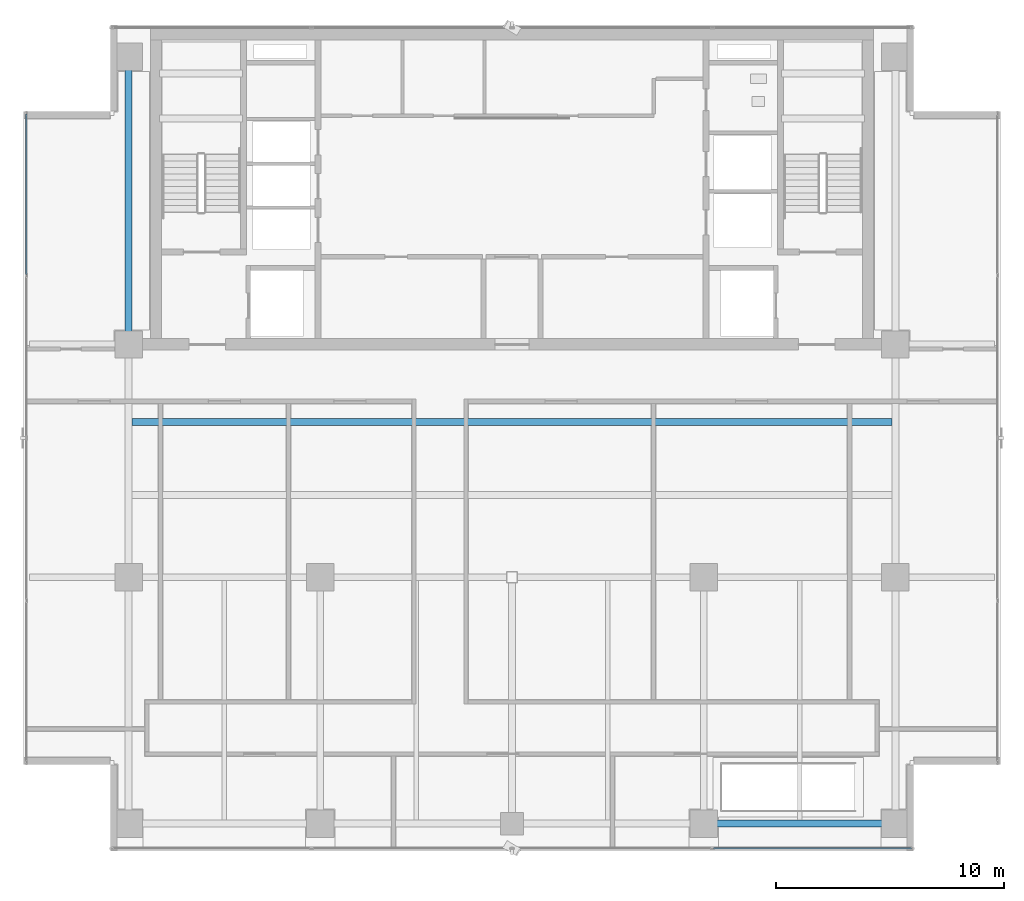
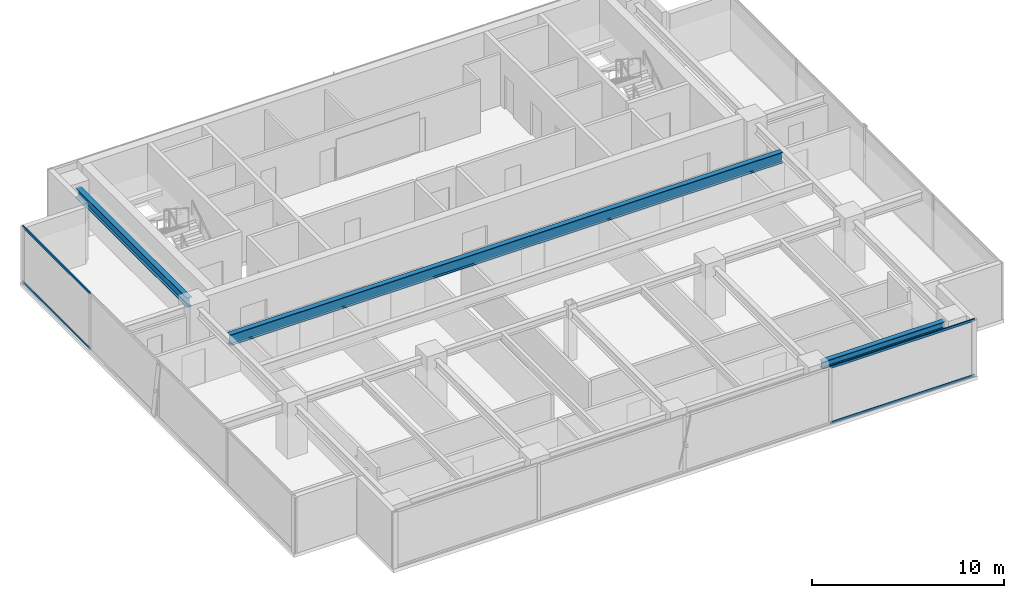
# One storey, part 7 of 21: 4 members, 3 beams, 2 elements without a shape of their own.
"""IFC4 building model written with IfcOpenShell, lengths in metres."""

from ifc_helpers import new_model, si_unit, direction, frame, origin, origin_2d, place, context, subcontext, project, spatial, hollow_rectangle, i_section, extrude, source, transform, mapped, material, layer, layer_set, material_profile, profile_set, type_object, element, aggregate, save


model = new_model("IFC4")

# Units and contexts
model_context = context("Model", 3, precision=1e-05, world=origin(), true_north=direction((0.0, 1.0)))
body_context = subcontext(model_context, "Body", "Model", "MODEL_VIEW")
ifc_project = project(units=[si_unit("LENGTHUNIT", "METRE"), si_unit("AREAUNIT", "SQUARE_METRE"), si_unit("VOLUMEUNIT", "CUBIC_METRE"), si_unit("PLANEANGLEUNIT", "RADIAN"), si_unit("MASSUNIT", "GRAM", prefix="KILO")], contexts=[model_context])

# Site, building, storey
site_placement = place(None, origin())
site = spatial("IfcSite", under=ifc_project, at=site_placement, CompositionType="ELEMENT")
building_placement = place(site_placement, origin())
building = spatial("IfcBuilding", under=site, at=building_placement, Name="Sumidabori Civic Tower", CompositionType="ELEMENT")
storey_placement = place(building_placement, frame((0.0, 0.0, 290.0)))
storey = spatial("IfcBuildingStorey", under=building, at=storey_placement, Name="L76", CompositionType="ELEMENT", Elevation=290.0)

# Beams
ifc_material_1 = material(Name="Steel SN490", Category="steel")
ifc_material_profile_1 = material_profile(ifc_material_1, i_section(OverallWidth=0.300048828125, OverallDepth=0.60009765625, WebThickness=0.015380859375, FlangeThickness=0.030029296875, at=origin_2d()), Name="HE 600 B")
ifc_profile_set_1 = profile_set([ifc_material_profile_1], Name="Steel SN490")
beam_type_1 = type_object("IfcBeamType", Name="BM-GIRD-600", PredefinedType="BEAM", material=ifc_profile_set_1)
shared_shape_1 = source(origin(), body_context, "Body", "SweptSolid", [
    extrude(i_section(OverallWidth=0.300048828125, OverallDepth=0.60009765625, WebThickness=0.015380859375, FlangeThickness=0.030029296875, at=origin_2d()), origin(), (0.0, 0.0, 1.0), 11.64013671875),
])
beam_1_placement = place(storey_placement, frame((-16.800048828125, 10.679931640625, 3.0), z_axis=(0.0, 1.0, 0.0), x_axis=(-1.0, 0.0, 0.0)))
element("IfcBeam", 1, at=beam_1_placement, inside=storey, type_object=beam_type_1, Name="Primary Girder L76 GY-11", PredefinedType="BEAM", context=body_context, shape_type="MappedRepresentation", body=[
    mapped(shared_shape_1, transform((0.0, 0.0, 0.0), x_axis=(1.0, 0.0, 0.0), y_axis=(0.0, 1.0, 0.0), z_axis=(0.0, 0.0, 1.0), scale=1.0)),
])
ifc_material_profile_2 = material_profile(ifc_material_1, i_section(OverallWidth=0.300048828125, OverallDepth=0.699951171875, WebThickness=0.01708984375, FlangeThickness=0.031982421875, at=origin_2d()), Name="HE 700 B")
ifc_profile_set_2 = profile_set([ifc_material_profile_2], Name="Steel SN490")
beam_type_2 = type_object("IfcBeamType", Name="BM-GIRD-700", PredefinedType="BEAM", material=ifc_profile_set_2)
shared_shape_2 = source(origin(), body_context, "Body", "SweptSolid", [
    extrude(i_section(OverallWidth=0.300048828125, OverallDepth=0.699951171875, WebThickness=0.01708984375, FlangeThickness=0.031982421875, at=origin_2d()), origin(), (0.0, 0.0, 1.0), 33.2998046875),
])
beam_2_placement = place(storey_placement, frame((-16.64990234375, 6.800048828125, 2.949951171875), z_axis=(1.0, 0.0, 0.0), x_axis=(0.0, 1.0, 0.0)))
element("IfcBeam", 2, at=beam_2_placement, inside=storey, type_object=beam_type_2, Name="North Bay Floor Beam L76 JSTN-23", PredefinedType="BEAM", context=body_context, shape_type="MappedRepresentation", body=[
    mapped(shared_shape_2, transform((0.0, 0.0, 0.0), x_axis=(1.0, 0.0, 0.0), y_axis=(0.0, 1.0, 0.0), z_axis=(0.0, 0.0, 1.0), scale=1.0)),
])
ifc_material_profile_3 = material_profile(ifc_material_1, i_section(OverallWidth=0.300048828125, OverallDepth=0.449951171875, WebThickness=0.013916015625, FlangeThickness=0.02587890625, at=origin_2d()), Name="HE 450 B")
ifc_profile_set_3 = profile_set([ifc_material_profile_3], Name="Steel SN490")
beam_type_3 = type_object("IfcBeamType", Name="BM-GIRD-450", PredefinedType="BEAM", material=ifc_profile_set_3)
shared_shape_3 = source(origin(), body_context, "Body", "SweptSolid", [
    extrude(i_section(OverallWidth=0.300048828125, OverallDepth=0.449951171875, WebThickness=0.013916015625, FlangeThickness=0.02587890625, at=origin_2d()), origin(), (0.0, 0.0, 1.0), 7.440185546875),
])
beam_3_placement = place(storey_placement, frame((8.8798828125, -10.800048828125, 3.074951171875), z_axis=(1.0, 0.0, 0.0), x_axis=(0.0, 1.0, 0.0)))
element("IfcBeam", 3, at=beam_3_placement, inside=storey, type_object=beam_type_3, Name="Primary Girder L76 GX-04", PredefinedType="BEAM", context=body_context, shape_type="MappedRepresentation", body=[
    mapped(shared_shape_3, transform((0.0, 0.0, 0.0), x_axis=(1.0, 0.0, 0.0), y_axis=(0.0, 1.0, 0.0), z_axis=(0.0, 0.0, 1.0), scale=1.0)),
])

# Curtain wall, members
ifc_material_2 = material(Name="Anodised Bronze Aluminium AW-6063-T6", Category="aluminium")
ifc_layer = layer(ifc_material_2, 0.179931640625, Name="Anodised Bronze Aluminium AW-6063-T6")
ifc_layer_set = layer_set([ifc_layer], Name="Anodised Bronze Aluminium AW-6063-T6")
curtain_wall_type = type_object("IfcCurtainWallType", Name="CW-SYS-6", PredefinedType="NOTDEFINED", material=ifc_layer_set)
curtain_wall_1_placement = place(storey_placement, origin())
curtain_wall_1 = element("IfcCurtainWall", 4, at=curtain_wall_1_placement, inside=storey, type_object=curtain_wall_type, Name="Curtain Wall CW:L76:R01", PredefinedType="NOTDEFINED")
ifc_material_profile_4 = material_profile(ifc_material_2, hollow_rectangle(XDim=0.06494140625, YDim=0.14990234375, WallThickness=0.0048828125, at=origin_2d()), Name="ALU TRANSOM 150x65")
ifc_profile_set_4 = profile_set([ifc_material_profile_4], Name="Anodised Bronze Aluminium AW-6063-T6")
member_type = type_object("IfcMemberType", Name="CW-TRN-150", PredefinedType="USERDEFINED", material=ifc_profile_set_4)
shared_shape_4 = source(origin(), body_context, "Body", "SweptSolid", [
    extrude(hollow_rectangle(XDim=0.06494140625, YDim=0.14990234375, WallThickness=0.0048828125, at=origin_2d()), origin(), (0.0, 0.0, 1.0), 8.679931640625),
])
member_1_placement = place(storey_placement, frame((8.820068359375, -11.8798828125, 0.032470703125), z_axis=(1.0, 0.0, 0.0), x_axis=(0.0, 1.0, 0.0)))
member_1 = element("IfcMember", 5, at=member_1_placement, type_object=member_type, Name="CW-6 transom 4.1", ObjectType="TRANSOM", PredefinedType="USERDEFINED", context=body_context, shape_type="MappedRepresentation", body=[
    mapped(shared_shape_4, transform((0.0, 0.0, 0.0), x_axis=(1.0, 0.0, 0.0), y_axis=(0.0, 1.0, 0.0), z_axis=(0.0, 0.0, 1.0), scale=1.0)),
])
member_2_placement = place(storey_placement, frame((8.820068359375, -11.8798828125, 3.5673828125), z_axis=(1.0, 0.0, 0.0), x_axis=(0.0, 1.0, 0.0)))
member_2 = element("IfcMember", 6, at=member_2_placement, type_object=member_type, Name="CW-6 transom 4.2", ObjectType="TRANSOM", PredefinedType="USERDEFINED", context=body_context, shape_type="MappedRepresentation", body=[
    mapped(shared_shape_4, transform((0.0, 0.0, 0.0), x_axis=(1.0, 0.0, 0.0), y_axis=(0.0, 1.0, 0.0), z_axis=(0.0, 0.0, 1.0), scale=1.0)),
])
aggregate(curtain_wall_1, [member_1, member_2])

curtain_wall_2_placement = place(storey_placement, origin())
curtain_wall_2 = element("IfcCurtainWall", 7, at=curtain_wall_2_placement, inside=storey, type_object=curtain_wall_type, Name="Curtain Wall CW:L76:R10", PredefinedType="NOTDEFINED")
shared_shape_5 = source(origin(), body_context, "Body", "SweptSolid", [
    extrude(hollow_rectangle(XDim=0.06494140625, YDim=0.14990234375, WallThickness=0.0048828125, at=origin_2d()), origin(), (0.0, 0.0, 1.0), 7.030029296875),
])
member_3_placement = place(storey_placement, frame((-21.280029296875, 20.300048828125, 0.032470703125), z_axis=(0.0, -1.0, 0.0), x_axis=(1.0, 0.0, 0.0)))
member_3 = element("IfcMember", 8, at=member_3_placement, type_object=member_type, Name="CW-6 transom 1.1", ObjectType="TRANSOM", PredefinedType="USERDEFINED", context=body_context, shape_type="MappedRepresentation", body=[
    mapped(shared_shape_5, transform((0.0, 0.0, 0.0), x_axis=(1.0, 0.0, 0.0), y_axis=(0.0, 1.0, 0.0), z_axis=(0.0, 0.0, 1.0), scale=1.0)),
])
member_4_placement = place(storey_placement, frame((-21.280029296875, 20.300048828125, 3.5673828125), z_axis=(0.0, -1.0, 0.0), x_axis=(1.0, 0.0, 0.0)))
member_4 = element("IfcMember", 9, at=member_4_placement, type_object=member_type, Name="CW-6 transom 1.2", ObjectType="TRANSOM", PredefinedType="USERDEFINED", context=body_context, shape_type="MappedRepresentation", body=[
    mapped(shared_shape_5, transform((0.0, 0.0, 0.0), x_axis=(1.0, 0.0, 0.0), y_axis=(0.0, 1.0, 0.0), z_axis=(0.0, 0.0, 1.0), scale=1.0)),
])
aggregate(curtain_wall_2, [member_3, member_4])

save(model, "model.ifc")
